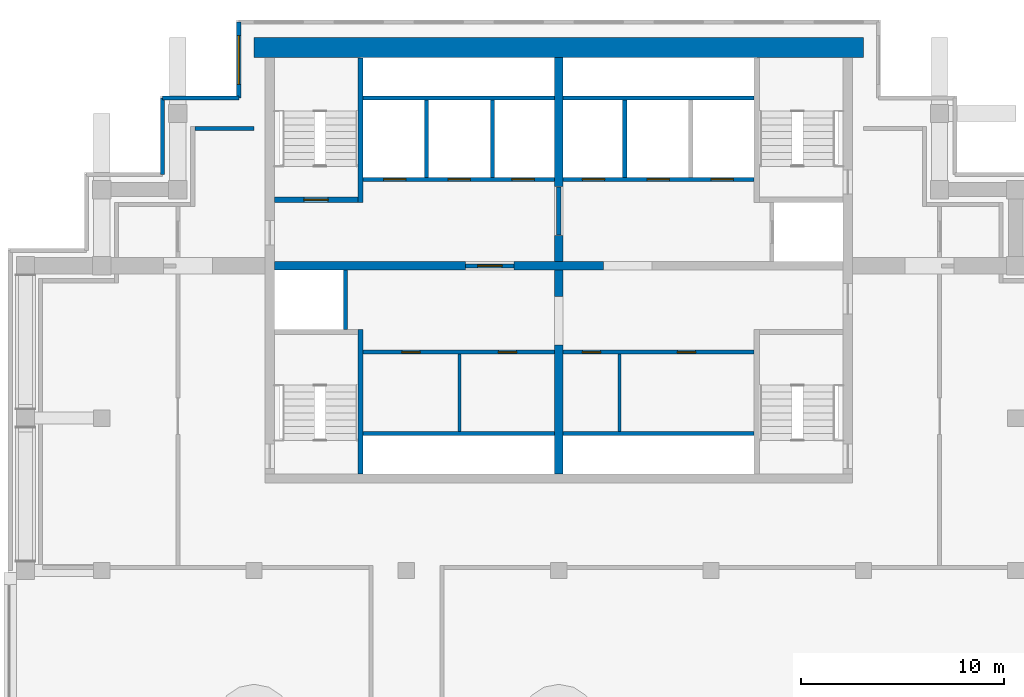
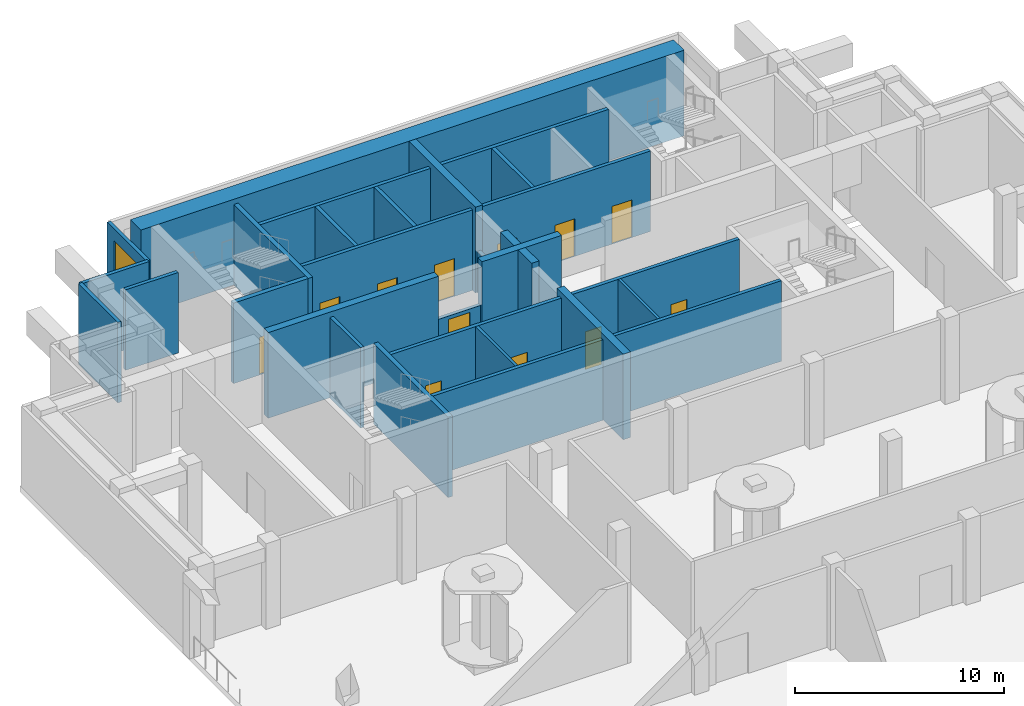
# One storey, part 3 of 8: 30 walls, 12 doors, 1 window, 13 openings.
"""IFC4 building model written with IfcOpenShell, lengths in metres."""

from ifc_helpers import new_model, si_unit, direction, frame, frame_2d, origin, place, context, subcontext, project, spatial, rectangle, extrude, material, layer, layer_set, type_object, element, fill, save


model = new_model("IFC4")

# Units and contexts
model_context = context("Model", 3, precision=1e-05, world=origin(), true_north=direction((0.0, 1.0)))
body_context = subcontext(model_context, "Body", "Model", "MODEL_VIEW")
ifc_project = project(units=[si_unit("LENGTHUNIT", "METRE"), si_unit("AREAUNIT", "SQUARE_METRE"), si_unit("VOLUMEUNIT", "CUBIC_METRE"), si_unit("PLANEANGLEUNIT", "RADIAN"), si_unit("MASSUNIT", "GRAM", prefix="KILO")], contexts=[model_context])

# Site, building, storey
site_placement = place(None, origin())
site = spatial("IfcSite", under=ifc_project, at=site_placement, CompositionType="ELEMENT")
building_placement = place(site_placement, origin())
building = spatial("IfcBuilding", under=site, at=building_placement, Name="Pilkhan Gate Tower", CompositionType="ELEMENT")
storey_placement = place(building_placement, frame((0.0, 0.0, 253.5)))
storey = spatial("IfcBuildingStorey", under=building, at=storey_placement, Name="L66", CompositionType="ELEMENT", Elevation=253.5)

# Walls
ifc_material_1 = material(Name="Concrete C50/60", Category="concrete")
ifc_layer_1 = layer(ifc_material_1, 1.0)
ifc_layer_set_1 = layer_set([ifc_layer_1], Name="Core wall CW1000 C50/60")
wall_type_1 = type_object("IfcWallType", Name="Core wall CW1000 C50/60", PredefinedType="SHEAR", material=ifc_layer_set_1)
wall_1_placement = place(storey_placement, frame((90.0, 93.25, 0.0), z_axis=(0.0, 0.0, 1.0), x_axis=(-1.0, 0.0, 0.0)))
element("IfcWall", 1, at=wall_1_placement, inside=storey, type_object=wall_type_1, Name="Core wall N L66", PredefinedType="SHEAR", context=body_context, shape_type="SweptSolid", body=[
    extrude(rectangle(XDim=30.0, YDim=1.0, at=frame_2d((15.0, 0.0))), origin(), (0.0, 0.0, 1.0), 5.0),
])
ifc_material_2 = material(Name="Dense blockwork", Category="masonry")
ifc_layer_2 = layer(ifc_material_2, 0.199951171875)
ifc_layer_set_2 = layer_set([ifc_layer_2], Name="Lobby wall LW200")
wall_type_2 = type_object("IfcWallType", Name="Lobby wall LW200", PredefinedType="PARTITIONING", material=ifc_layer_set_2)
for number, where, z_axis, x_axis, name in (
    (2, (65.375, 74.25, 0.0), (0.0, 0.0, 1.0), (1.0, 0.0, 0.0), "Partition L66"),
    (3, (75.2099609375, 74.25, 0.0), (0.0, 0.0, 1.0), (1.0, 0.0, 0.0), "Partition L66"),
):
    element("IfcWall", number, at=place(storey_placement, frame(where, z_axis=z_axis, x_axis=x_axis)), inside=storey, type_object=wall_type_2, Name=name, PredefinedType="PARTITIONING", context=body_context, shape_type="SweptSolid", body=[
        extrude(rectangle(XDim=9.4150390625, YDim=0.199951171875, at=frame_2d((4.70751953125, 0.0))), origin(), (0.0, 0.0, 1.0), 4.699951171875),
    ])

# Wall, openings, doors
wall_2_placement = place(storey_placement, frame((65.375, 78.25, 0.0), z_axis=(0.0, 0.0, 1.0), x_axis=(1.0, 0.0, 0.0)))
wall_2 = element("IfcWall", 4, at=wall_2_placement, inside=storey, type_object=wall_type_2, Name="Partition L66", PredefinedType="PARTITIONING", context=body_context, shape_type="SweptSolid", body=[
    extrude(rectangle(XDim=9.4150390625, YDim=0.199951171875, at=frame_2d((4.70751953125, 0.0))), origin(), (0.0, 0.0, 1.0), 4.699951171875),
])
opening_1_placement = place(wall_2_placement, frame((1.89990234375, 0.0, 0.0)))
opening_1 = element("IfcOpeningElement", 5, at=opening_1_placement, cuts=wall_2, Name="Opening L66-10", PredefinedType="OPENING", context=body_context, shape_type="SweptSolid", body=[
    extrude(rectangle(XDim=0.89990234375, YDim=2.199951171875, at=frame_2d((0.449951171875, 1.10009765625))), frame((0.0, 0.10986328125, 0.0), z_axis=(0.0, -1.0, 0.0), x_axis=(1.0, 0.0, 0.0)), (0.0, 0.0, 1.0), 0.219970703125),
])
opening_2_placement = place(wall_2_placement, frame((6.64990234375, 0.0, 0.0)))
opening_2 = element("IfcOpeningElement", 6, at=opening_2_placement, cuts=wall_2, Name="Opening L66-11", PredefinedType="OPENING", context=body_context, shape_type="SweptSolid", body=[
    extrude(rectangle(XDim=0.89990234375, YDim=2.199951171875, at=frame_2d((0.449951171875, 1.10009765625))), frame((0.0, 0.10986328125, 0.0), z_axis=(0.0, -1.0, 0.0), x_axis=(1.0, 0.0, 0.0)), (0.0, 0.0, 1.0), 0.219970703125),
])
ifc_material_3 = material(Name="Timber flush door, 60 minute fire resisting, self-closing", Category="wood")
door_type_1 = type_object("IfcDoorType", Name="Store door D05 900x2200", OperationType="SINGLE_SWING_LEFT", PredefinedType="DOOR", material=ifc_material_3)
door_1_placement = place(opening_1_placement, origin())
door_1 = element("IfcDoor", 7, at=door_1_placement, inside=storey, type_object=door_type_1, Name="Store door", OperationType="SINGLE_SWING_LEFT", OverallHeight=2.199951171875, OverallWidth=0.89990234375, PredefinedType="DOOR", context=body_context, shape_type="SweptSolid", body=[
    extrude(rectangle(XDim=0.89990234375, YDim=2.199951171875, at=frame_2d((0.449951171875, 1.10009765625))), frame((0.0, 0.02490234375, 0.0), z_axis=(0.0, -1.0, 0.0), x_axis=(1.0, 0.0, 0.0)), (0.0, 0.0, 1.0), 0.050048828125),
])
fill(opening_1, door_1)
door_2_placement = place(opening_2_placement, origin())
door_2 = element("IfcDoor", 8, at=door_2_placement, inside=storey, type_object=door_type_1, Name="Store door", OperationType="SINGLE_SWING_RIGHT", OverallHeight=2.199951171875, OverallWidth=0.89990234375, PredefinedType="DOOR", context=body_context, shape_type="SweptSolid", body=[
    extrude(rectangle(XDim=0.89990234375, YDim=2.199951171875, at=frame_2d((0.449951171875, 1.10009765625))), frame((0.0, 0.02490234375, 0.0), z_axis=(0.0, -1.0, 0.0), x_axis=(1.0, 0.0, 0.0)), (0.0, 0.0, 1.0), 0.050048828125),
])
fill(opening_2, door_2)

wall_3_placement = place(storey_placement, frame((75.2099609375, 78.25, 0.0), z_axis=(0.0, 0.0, 1.0), x_axis=(1.0, 0.0, 0.0)))
wall_3 = element("IfcWall", 9, at=wall_3_placement, inside=storey, type_object=wall_type_2, Name="Partition L66", PredefinedType="PARTITIONING", context=body_context, shape_type="SweptSolid", body=[
    extrude(rectangle(XDim=9.4150390625, YDim=0.199951171875, at=frame_2d((4.70751953125, 0.0))), origin(), (0.0, 0.0, 1.0), 4.699951171875),
])
opening_3_placement = place(wall_3_placement, frame((0.949951171875, 0.0, 0.0)))
opening_3 = element("IfcOpeningElement", 10, at=opening_3_placement, cuts=wall_3, Name="Opening L66-12", PredefinedType="OPENING", context=body_context, shape_type="SweptSolid", body=[
    extrude(rectangle(XDim=0.89990234375, YDim=2.199951171875, at=frame_2d((0.449951171875, 1.10009765625))), frame((0.0, 0.10986328125, 0.0), z_axis=(0.0, -1.0, 0.0), x_axis=(1.0, 0.0, 0.0)), (0.0, 0.0, 1.0), 0.219970703125),
])
opening_4_placement = place(wall_3_placement, frame((5.6298828125, 0.0, 0.0)))
opening_4 = element("IfcOpeningElement", 11, at=opening_4_placement, cuts=wall_3, Name="Opening L66-13", PredefinedType="OPENING", context=body_context, shape_type="SweptSolid", body=[
    extrude(rectangle(XDim=0.89990234375, YDim=2.199951171875, at=frame_2d((0.449951171875, 1.10009765625))), frame((0.0, 0.10986328125, 0.0), z_axis=(0.0, -1.0, 0.0), x_axis=(1.0, 0.0, 0.0)), (0.0, 0.0, 1.0), 0.219970703125),
])
door_3_placement = place(opening_3_placement, origin())
door_3 = element("IfcDoor", 12, at=door_3_placement, inside=storey, type_object=door_type_1, Name="Store door", OperationType="SINGLE_SWING_LEFT", OverallHeight=2.199951171875, OverallWidth=0.89990234375, PredefinedType="DOOR", context=body_context, shape_type="SweptSolid", body=[
    extrude(rectangle(XDim=0.89990234375, YDim=2.199951171875, at=frame_2d((0.449951171875, 1.10009765625))), frame((0.0, 0.02490234375, 0.0), z_axis=(0.0, -1.0, 0.0), x_axis=(1.0, 0.0, 0.0)), (0.0, 0.0, 1.0), 0.050048828125),
])
fill(opening_3, door_3)
door_4_placement = place(opening_4_placement, origin())
door_4 = element("IfcDoor", 13, at=door_4_placement, inside=storey, type_object=door_type_1, Name="Store door", OperationType="SINGLE_SWING_RIGHT", OverallHeight=2.199951171875, OverallWidth=0.89990234375, PredefinedType="DOOR", context=body_context, shape_type="SweptSolid", body=[
    extrude(rectangle(XDim=0.89990234375, YDim=2.199951171875, at=frame_2d((0.449951171875, 1.10009765625))), frame((0.0, 0.02490234375, 0.0), z_axis=(0.0, -1.0, 0.0), x_axis=(1.0, 0.0, 0.0)), (0.0, 0.0, 1.0), 0.050048828125),
])
fill(opening_4, door_4)

# Wall, opening, door
wall_4_placement = place(storey_placement, frame((70.409912109375, 82.5, 0.0), z_axis=(0.0, 0.0, 1.0), x_axis=(1.0, 0.0, 0.0)))
wall_4 = element("IfcWall", 14, at=wall_4_placement, inside=storey, type_object=wall_type_2, Name="Partition L66", PredefinedType="PARTITIONING", context=body_context, shape_type="SweptSolid", body=[
    extrude(rectangle(XDim=2.380126953125, YDim=0.199951171875, at=frame_2d((1.18994140625, 0.0))), origin(), (0.0, 0.0, 1.0), 2.39990234375),
])
opening_5_placement = place(wall_4_placement, frame((0.60009765625, 0.0, 0.0)))
opening_5 = element("IfcOpeningElement", 15, at=opening_5_placement, cuts=wall_4, Name="Opening L66-01", PredefinedType="OPENING", context=body_context, shape_type="SweptSolid", body=[
    extrude(rectangle(XDim=1.199951171875, YDim=2.199951171875, at=frame_2d((0.60009765625, 1.10009765625))), frame((0.0, 0.10986328125, 0.0), z_axis=(0.0, -1.0, 0.0), x_axis=(1.0, 0.0, 0.0)), (0.0, 0.0, 1.0), 0.219970703125),
])
ifc_material_4 = material(Name="Steel door, 120 minute fire resisting, self-closing", Category="steel")
door_type_2 = type_object("IfcDoorType", Name="Firefighting lobby door D10 1200x2200", OperationType="SINGLE_SWING_LEFT", PredefinedType="DOOR", material=ifc_material_4)
door_5_placement = place(opening_5_placement, origin())
door_5 = element("IfcDoor", 16, at=door_5_placement, inside=storey, type_object=door_type_2, Name="Firefighting lobby door", OperationType="SINGLE_SWING_LEFT", OverallHeight=2.199951171875, OverallWidth=1.199951171875, PredefinedType="DOOR", context=body_context, shape_type="SweptSolid", body=[
    extrude(rectangle(XDim=1.199951171875, YDim=2.199951171875, at=frame_2d((0.60009765625, 1.10009765625))), frame((0.0, 0.02490234375, 0.0), z_axis=(0.0, -1.0, 0.0), x_axis=(1.0, 0.0, 0.0)), (0.0, 0.0, 1.0), 0.050048828125),
])
fill(opening_5, door_5)

# Walls
wall_5_placement = place(storey_placement, frame((57.0849609375, 89.264892578125, 0.0), z_axis=(0.0, 0.0, 1.0), x_axis=(1.0, 0.0, 0.0)))
element("IfcWall", 17, at=wall_5_placement, inside=storey, type_object=wall_type_2, Name="Partition L66", PredefinedType="PARTITIONING", context=body_context, shape_type="SweptSolid", body=[
    extrude(rectangle(XDim=2.9150390625, YDim=0.199951171875, at=frame_2d((1.45751953125, 0.0))), origin(), (0.0, 0.0, 1.0), 4.699951171875),
])
wall_6_placement = place(storey_placement, frame((75.0, 84.010009765625, 0.0), z_axis=(0.0, 0.0, 1.0), x_axis=(0.0, 1.0, 0.0)))
element("IfcWall", 18, at=wall_6_placement, inside=storey, type_object=wall_type_2, Name="Partition L66", PredefinedType="PARTITIONING", context=body_context, shape_type="SweptSolid", body=[
    extrude(rectangle(XDim=2.3798828125, YDim=0.199951171875, at=frame_2d((1.18994140625, 0.0))), origin(), (0.0, 0.0, 1.0), 2.39990234375),
])
ifc_material_5 = material(Name="Blockwork partition, plastered both sides", Category="masonry")
ifc_layer_3 = layer(ifc_material_5, 0.14990234375)
ifc_layer_set_3 = layer_set([ifc_layer_3], Name="Partition PW150")
wall_type_3 = type_object("IfcWallType", Name="Partition PW150", PredefinedType="PARTITIONING", material=ifc_layer_set_3)
for number, where, z_axis, x_axis, name in (
    (19, (70.125, 74.35009765625, 0.0), (0.0, 0.0, 1.0), (0.0, 1.0, 0.0), "Partition L66"),
    (20, (77.989990234375, 74.35009765625, 0.0), (0.0, 0.0, 1.0), (0.0, 1.0, 0.0), "Partition L66"),
):
    element("IfcWall", number, at=place(storey_placement, frame(where, z_axis=z_axis, x_axis=x_axis)), inside=storey, type_object=wall_type_3, Name=name, PredefinedType="PARTITIONING", context=body_context, shape_type="SweptSolid", body=[
        extrude(rectangle(XDim=3.7998046875, YDim=0.14990234375, at=frame_2d((1.89990234375, 0.0))), origin(), (0.0, 0.0, 1.0), 4.699951171875),
    ])

# Wall, opening, window
ifc_material_6 = material(Name="Pale anodised aluminium cladding", Category="aluminium")
ifc_layer_4 = layer(ifc_material_6, 0.199951171875)
ifc_layer_set_4 = layer_set([ifc_layer_4], Name="Plant screen wall PS200")
wall_type_4 = type_object("IfcWallType", Name="Plant screen wall PS200", PredefinedType="SOLIDWALL", material=ifc_layer_set_4)
wall_7_placement = place(storey_placement, frame((59.25, 90.75, 0.0), z_axis=(0.0, 0.0, 1.0), x_axis=(0.0, 1.0, 0.0)))
wall_7 = element("IfcWall", 21, at=wall_7_placement, inside=storey, type_object=wall_type_4, Name="Plant screen wall L66 W", PredefinedType="SOLIDWALL", context=body_context, shape_type="SweptSolid", body=[
    extrude(rectangle(XDim=3.75, YDim=0.199951171875, at=frame_2d((1.875, 0.0))), origin(), (0.0, 0.0, 1.0), 4.699951171875),
])
opening_6_placement = place(wall_7_placement, frame((0.675048828125, 0.0, 1.0)))
opening_6 = element("IfcOpeningElement", 22, at=opening_6_placement, cuts=wall_7, Name="Opening WL1", PredefinedType="OPENING", context=body_context, shape_type="SweptSolid", body=[
    extrude(rectangle(XDim=2.39990234375, YDim=3.0, at=frame_2d((1.199951171875, 1.5))), frame((0.0, 0.10986328125, 0.0), z_axis=(0.0, -1.0, 0.0), x_axis=(1.0, 0.0, 0.0)), (0.0, 0.0, 1.0), 0.219970703125),
])
ifc_material_7 = material(Name="Pale anodised aluminium storm louvre, bird mesh", Category="aluminium")
window_type = type_object("IfcWindowType", Name="Plant louvre WL1 2400x3000", PartitioningType="SINGLE_PANEL", PredefinedType="USERDEFINED", material=ifc_material_7)
window_placement = place(opening_6_placement, origin())
window = element("IfcWindow", 23, at=window_placement, inside=storey, type_object=window_type, Name="Louvre L66", ObjectType="LOUVRE", OverallHeight=3.0, OverallWidth=2.39990234375, PartitioningType="SINGLE_PANEL", PredefinedType="USERDEFINED", context=body_context, shape_type="SweptSolid", body=[
    extrude(rectangle(XDim=2.39990234375, YDim=3.0, at=frame_2d((1.199951171875, 1.5))), frame((0.0, 0.030029296875, 0.0), z_axis=(0.0, -1.0, 0.0), x_axis=(1.0, 0.0, 0.0)), (0.0, 0.0, 1.0), 0.06005859375),
])
fill(opening_6, window)

# Walls
for number, where, z_axis, x_axis, name in (
    (24, (55.5, 90.75, 0.0), (0.0, 0.0, 1.0), (1.0, 0.0, 0.0), "Plant screen wall L66 N"),
    (25, (55.5, 87.0, 0.0), (0.0, 0.0, 1.0), (0.0, 1.0, 0.0), "Plant screen wall L66 W"),
):
    element("IfcWall", number, at=place(storey_placement, frame(where, z_axis=z_axis, x_axis=x_axis)), inside=storey, type_object=wall_type_4, Name=name, PredefinedType="SOLIDWALL", context=body_context, shape_type="SweptSolid", body=[
        extrude(rectangle(XDim=3.75, YDim=0.199951171875, at=frame_2d((1.875, 0.0))), origin(), (0.0, 0.0, 1.0), 4.699951171875),
    ])

# Wall, openings, doors
ifc_material_8 = material(Name="Reinforced blockwork shaft wall, 120 minute fire resisting", Category="masonry")
ifc_layer_5 = layer(ifc_material_8, 0.199951171875)
ifc_layer_set_5 = layer_set([ifc_layer_5], Name="Shaft wall SW200")
wall_type_5 = type_object("IfcWallType", Name="Shaft wall SW200", PredefinedType="PARTITIONING", material=ifc_layer_set_5)
wall_8_placement = place(storey_placement, frame((65.375, 86.75, 0.0), z_axis=(0.0, 0.0, 1.0), x_axis=(1.0, 0.0, 0.0)))
wall_8 = element("IfcWall", 26, at=wall_8_placement, inside=storey, type_object=wall_type_5, Name="Partition L66", PredefinedType="PARTITIONING", context=body_context, shape_type="SweptSolid", body=[
    extrude(rectangle(XDim=9.4150390625, YDim=0.199951171875, at=frame_2d((4.70751953125, 0.0))), origin(), (0.0, 0.0, 1.0), 4.699951171875),
])
opening_7_placement = place(wall_8_placement, frame((1.0, 0.0, 0.0)))
opening_7 = element("IfcOpeningElement", 27, at=opening_7_placement, cuts=wall_8, Name="Opening LD", PredefinedType="OPENING", context=body_context, shape_type="SweptSolid", body=[
    extrude(rectangle(XDim=1.10009765625, YDim=2.199951171875, at=frame_2d((0.550048828125, 1.10009765625))), frame((0.0, 0.10986328125, 0.0), z_axis=(0.0, -1.0, 0.0), x_axis=(1.0, 0.0, 0.0)), (0.0, 0.0, 1.0), 0.219970703125),
])
opening_8_placement = place(wall_8_placement, frame((4.175048828125, 0.0, 0.0)))
opening_8 = element("IfcOpeningElement", 28, at=opening_8_placement, cuts=wall_8, Name="Opening LD", PredefinedType="OPENING", context=body_context, shape_type="SweptSolid", body=[
    extrude(rectangle(XDim=1.10009765625, YDim=2.199951171875, at=frame_2d((0.550048828125, 1.10009765625))), frame((0.0, 0.10986328125, 0.0), z_axis=(0.0, -1.0, 0.0), x_axis=(1.0, 0.0, 0.0)), (0.0, 0.0, 1.0), 0.219970703125),
])
opening_9_placement = place(wall_8_placement, frame((7.324951171875, 0.0, 0.0)))
opening_9 = element("IfcOpeningElement", 29, at=opening_9_placement, cuts=wall_8, Name="Opening LD", PredefinedType="OPENING", context=body_context, shape_type="SweptSolid", body=[
    extrude(rectangle(XDim=1.10009765625, YDim=2.199951171875, at=frame_2d((0.550048828125, 1.10009765625))), frame((0.0, 0.10986328125, 0.0), z_axis=(0.0, -1.0, 0.0), x_axis=(1.0, 0.0, 0.0)), (0.0, 0.0, 1.0), 0.219970703125),
])
ifc_material_9 = material(Name="Stainless steel centre-opening landing door, 120 minute fire resisting", Category="steel")
door_type_3 = type_object("IfcDoorType", Name="Lift landing door LD 1100x2200", OperationType="DOUBLE_DOOR_SLIDING", PredefinedType="DOOR", material=ifc_material_9)
door_6_placement = place(opening_7_placement, origin())
door_6 = element("IfcDoor", 30, at=door_6_placement, inside=storey, type_object=door_type_3, Name="Landing door FF1", OperationType="DOUBLE_DOOR_SLIDING", OverallHeight=2.199951171875, OverallWidth=1.10009765625, PredefinedType="DOOR", context=body_context, shape_type="SweptSolid", body=[
    extrude(rectangle(XDim=1.10009765625, YDim=2.199951171875, at=frame_2d((0.550048828125, 1.10009765625))), frame((0.0, 0.02490234375, 0.0), z_axis=(0.0, -1.0, 0.0), x_axis=(1.0, 0.0, 0.0)), (0.0, 0.0, 1.0), 0.050048828125),
])
fill(opening_7, door_6)
door_7_placement = place(opening_8_placement, origin())
door_7 = element("IfcDoor", 31, at=door_7_placement, inside=storey, type_object=door_type_3, Name="Landing door FF2", OperationType="DOUBLE_DOOR_SLIDING", OverallHeight=2.199951171875, OverallWidth=1.10009765625, PredefinedType="DOOR", context=body_context, shape_type="SweptSolid", body=[
    extrude(rectangle(XDim=1.10009765625, YDim=2.199951171875, at=frame_2d((0.550048828125, 1.10009765625))), frame((0.0, 0.02490234375, 0.0), z_axis=(0.0, -1.0, 0.0), x_axis=(1.0, 0.0, 0.0)), (0.0, 0.0, 1.0), 0.050048828125),
])
fill(opening_8, door_7)
door_8_placement = place(opening_9_placement, origin())
door_8 = element("IfcDoor", 32, at=door_8_placement, inside=storey, type_object=door_type_3, Name="Landing door SV1", OperationType="DOUBLE_DOOR_SLIDING", OverallHeight=2.199951171875, OverallWidth=1.10009765625, PredefinedType="DOOR", context=body_context, shape_type="SweptSolid", body=[
    extrude(rectangle(XDim=1.10009765625, YDim=2.199951171875, at=frame_2d((0.550048828125, 1.10009765625))), frame((0.0, 0.02490234375, 0.0), z_axis=(0.0, -1.0, 0.0), x_axis=(1.0, 0.0, 0.0)), (0.0, 0.0, 1.0), 0.050048828125),
])
fill(opening_9, door_8)

wall_9_placement = place(storey_placement, frame((75.2099609375, 86.75, 0.0), z_axis=(0.0, 0.0, 1.0), x_axis=(1.0, 0.0, 0.0)))
wall_9 = element("IfcWall", 33, at=wall_9_placement, inside=storey, type_object=wall_type_5, Name="Partition L66", PredefinedType="PARTITIONING", context=body_context, shape_type="SweptSolid", body=[
    extrude(rectangle(XDim=9.4150390625, YDim=0.199951171875, at=frame_2d((4.70751953125, 0.0))), origin(), (0.0, 0.0, 1.0), 4.699951171875),
])
opening_10_placement = place(wall_9_placement, frame((0.949951171875, 0.0, 0.0)))
opening_10 = element("IfcOpeningElement", 34, at=opening_10_placement, cuts=wall_9, Name="Opening LD", PredefinedType="OPENING", context=body_context, shape_type="SweptSolid", body=[
    extrude(rectangle(XDim=1.10009765625, YDim=2.199951171875, at=frame_2d((0.550048828125, 1.10009765625))), frame((0.0, 0.10986328125, 0.0), z_axis=(0.0, -1.0, 0.0), x_axis=(1.0, 0.0, 0.0)), (0.0, 0.0, 1.0), 0.219970703125),
])
opening_11_placement = place(wall_9_placement, frame((4.139892578125, 0.0, 0.0)))
opening_11 = element("IfcOpeningElement", 35, at=opening_11_placement, cuts=wall_9, Name="Opening LD", PredefinedType="OPENING", context=body_context, shape_type="SweptSolid", body=[
    extrude(rectangle(XDim=1.10009765625, YDim=2.199951171875, at=frame_2d((0.550048828125, 1.10009765625))), frame((0.0, 0.10986328125, 0.0), z_axis=(0.0, -1.0, 0.0), x_axis=(1.0, 0.0, 0.0)), (0.0, 0.0, 1.0), 0.219970703125),
])
opening_12_placement = place(wall_9_placement, frame((7.2900390625, 0.0, 0.0)))
opening_12 = element("IfcOpeningElement", 36, at=opening_12_placement, cuts=wall_9, Name="Opening LD", PredefinedType="OPENING", context=body_context, shape_type="SweptSolid", body=[
    extrude(rectangle(XDim=1.10009765625, YDim=2.199951171875, at=frame_2d((0.550048828125, 1.10009765625))), frame((0.0, 0.10986328125, 0.0), z_axis=(0.0, -1.0, 0.0), x_axis=(1.0, 0.0, 0.0)), (0.0, 0.0, 1.0), 0.219970703125),
])
door_9_placement = place(opening_10_placement, origin())
door_9 = element("IfcDoor", 37, at=door_9_placement, inside=storey, type_object=door_type_3, Name="Landing door HR1", OperationType="DOUBLE_DOOR_SLIDING", OverallHeight=2.199951171875, OverallWidth=1.10009765625, PredefinedType="DOOR", context=body_context, shape_type="SweptSolid", body=[
    extrude(rectangle(XDim=1.10009765625, YDim=2.199951171875, at=frame_2d((0.550048828125, 1.10009765625))), frame((0.0, 0.02490234375, 0.0), z_axis=(0.0, -1.0, 0.0), x_axis=(1.0, 0.0, 0.0)), (0.0, 0.0, 1.0), 0.050048828125),
])
fill(opening_10, door_9)
door_10_placement = place(opening_11_placement, origin())
door_10 = element("IfcDoor", 38, at=door_10_placement, inside=storey, type_object=door_type_3, Name="Landing door HR2", OperationType="DOUBLE_DOOR_SLIDING", OverallHeight=2.199951171875, OverallWidth=1.10009765625, PredefinedType="DOOR", context=body_context, shape_type="SweptSolid", body=[
    extrude(rectangle(XDim=1.10009765625, YDim=2.199951171875, at=frame_2d((0.550048828125, 1.10009765625))), frame((0.0, 0.02490234375, 0.0), z_axis=(0.0, -1.0, 0.0), x_axis=(1.0, 0.0, 0.0)), (0.0, 0.0, 1.0), 0.050048828125),
])
fill(opening_11, door_10)
door_11_placement = place(opening_12_placement, origin())
door_11 = element("IfcDoor", 39, at=door_11_placement, inside=storey, type_object=door_type_3, Name="Landing door HR3", OperationType="DOUBLE_DOOR_SLIDING", OverallHeight=2.199951171875, OverallWidth=1.10009765625, PredefinedType="DOOR", context=body_context, shape_type="SweptSolid", body=[
    extrude(rectangle(XDim=1.10009765625, YDim=2.199951171875, at=frame_2d((0.550048828125, 1.10009765625))), frame((0.0, 0.02490234375, 0.0), z_axis=(0.0, -1.0, 0.0), x_axis=(1.0, 0.0, 0.0)), (0.0, 0.0, 1.0), 0.050048828125),
])
fill(opening_12, door_11)

# Walls
for number, where, z_axis, x_axis, name in (
    (40, (65.375, 90.75, 0.0), (0.0, 0.0, 1.0), (1.0, 0.0, 0.0), "Partition L66"),
    (41, (75.2099609375, 90.75, 0.0), (0.0, 0.0, 1.0), (1.0, 0.0, 0.0), "Partition L66"),
):
    element("IfcWall", number, at=place(storey_placement, frame(where, z_axis=z_axis, x_axis=x_axis)), inside=storey, type_object=wall_type_5, Name=name, PredefinedType="PARTITIONING", context=body_context, shape_type="SweptSolid", body=[
        extrude(rectangle(XDim=9.4150390625, YDim=0.199951171875, at=frame_2d((4.70751953125, 0.0))), origin(), (0.0, 0.0, 1.0), 4.699951171875),
    ])
wall_10_placement = place(storey_placement, frame((64.5, 79.375, 0.0), z_axis=(0.0, 0.0, 1.0), x_axis=(0.0, 1.0, 0.0)))
element("IfcWall", 42, at=wall_10_placement, inside=storey, type_object=wall_type_5, Name="Partition L66", PredefinedType="PARTITIONING", context=body_context, shape_type="SweptSolid", body=[
    extrude(rectangle(XDim=2.9150390625, YDim=0.199951171875, at=frame_2d((1.45751953125, 0.0))), origin(), (0.0, 0.0, 1.0), 4.699951171875),
])
for number, where, z_axis, x_axis, name in (
    (43, (68.5, 86.85009765625, 0.0), (0.0, 0.0, 1.0), (0.0, 1.0, 0.0), "Partition L66"),
    (44, (71.75, 86.85009765625, 0.0), (0.0, 0.0, 1.0), (0.0, 1.0, 0.0), "Partition L66"),
    (45, (78.25, 86.85009765625, 0.0), (0.0, 0.0, 1.0), (0.0, 1.0, 0.0), "Partition L66"),
):
    element("IfcWall", number, at=place(storey_placement, frame(where, z_axis=z_axis, x_axis=x_axis)), inside=storey, type_object=wall_type_5, Name=name, PredefinedType="PARTITIONING", context=body_context, shape_type="SweptSolid", body=[
        extrude(rectangle(XDim=3.7998046875, YDim=0.199951171875, at=frame_2d((1.89990234375, 0.0))), origin(), (0.0, 0.0, 1.0), 4.699951171875),
    ])
ifc_layer_6 = layer(ifc_material_1, 0.39990234375)
ifc_layer_set_6 = layer_set([ifc_layer_6], Name="Spine wall SW400 C50/60")
wall_type_6 = type_object("IfcWallType", Name="Spine wall SW400 C50/60", PredefinedType="SHEAR", material=ifc_layer_set_6)
wall_11_placement = place(storey_placement, frame((61.0, 82.5, 0.0), z_axis=(0.0, 0.0, 1.0), x_axis=(1.0, 0.0, 0.0)))
element("IfcWall", 46, at=wall_11_placement, inside=storey, type_object=wall_type_6, Name="Spine wall SP-EW1 L66", PredefinedType="SHEAR", context=body_context, shape_type="SweptSolid", body=[
    extrude(rectangle(XDim=9.39990234375, YDim=0.39990234375, at=frame_2d((4.699951171875, 0.0))), origin(), (0.0, 0.0, 1.0), 5.0),
])
wall_12_placement = place(storey_placement, frame((72.800048828125, 82.5, 0.0), z_axis=(0.0, 0.0, 1.0), x_axis=(1.0, 0.0, 0.0)))
element("IfcWall", 47, at=wall_12_placement, inside=storey, type_object=wall_type_6, Name="Spine wall SP-EW2 L66", PredefinedType="SHEAR", context=body_context, shape_type="SweptSolid", body=[
    extrude(rectangle(XDim=4.39990234375, YDim=0.39990234375, at=frame_2d((2.199951171875, 0.0))), origin(), (0.0, 0.0, 1.0), 5.0),
])
wall_13_placement = place(storey_placement, frame((75.0, 72.25, 0.0), z_axis=(0.0, 0.0, 1.0), x_axis=(0.0, 1.0, 0.0)))
element("IfcWall", 48, at=wall_13_placement, inside=storey, type_object=wall_type_6, Name="Spine wall SP-NS-S1 L66", PredefinedType="SHEAR", context=body_context, shape_type="SweptSolid", body=[
    extrude(rectangle(XDim=6.35009765625, YDim=0.39990234375, at=frame_2d((3.175048828125, 0.0))), origin(), (0.0, 0.0, 1.0), 5.0),
])
for number, where, z_axis, x_axis, name in (
    (49, (75.0, 81.0, 0.0), (0.0, 0.0, 1.0), (0.0, 1.0, 0.0), "Spine wall SP-NS-S2 L66"),
    (50, (75.0, 82.699951171875, 0.0), (0.0, 0.0, 1.0), (0.0, 1.0, 0.0), "Spine wall SP-NS-N1 L66"),
):
    element("IfcWall", number, at=place(storey_placement, frame(where, z_axis=z_axis, x_axis=x_axis)), inside=storey, type_object=wall_type_6, Name=name, PredefinedType="SHEAR", context=body_context, shape_type="SweptSolid", body=[
        extrude(rectangle(XDim=1.300048828125, YDim=0.39990234375, at=frame_2d((0.64990234375, 0.0))), origin(), (0.0, 0.0, 1.0), 5.0),
    ])
wall_14_placement = place(storey_placement, frame((75.0, 86.39990234375, 0.0), z_axis=(0.0, 0.0, 1.0), x_axis=(0.0, 1.0, 0.0)))
element("IfcWall", 51, at=wall_14_placement, inside=storey, type_object=wall_type_6, Name="Spine wall SP-NS-N2 L66", PredefinedType="SHEAR", context=body_context, shape_type="SweptSolid", body=[
    extrude(rectangle(XDim=6.35009765625, YDim=0.39990234375, at=frame_2d((3.175048828125, 0.0))), origin(), (0.0, 0.0, 1.0), 5.0),
])

# Wall, opening, door
ifc_material_10 = material(Name="Reinforced blockwork, 120 minute fire resisting", Category="masonry")
ifc_layer_7 = layer(ifc_material_10, 0.25)
ifc_layer_set_7 = layer_set([ifc_layer_7], Name="Stair enclosure wall SE250")
wall_type_7 = type_object("IfcWallType", Name="Stair enclosure wall SE250", PredefinedType="PARTITIONING", material=ifc_layer_set_7)
wall_15_placement = place(storey_placement, frame((61.0, 85.75, 0.0), z_axis=(0.0, 0.0, 1.0), x_axis=(1.0, 0.0, 0.0)))
wall_15 = element("IfcWall", 52, at=wall_15_placement, inside=storey, type_object=wall_type_7, Name="Partition L66", PredefinedType="PARTITIONING", context=body_context, shape_type="SweptSolid", body=[
    extrude(rectangle(XDim=4.125, YDim=0.25, at=frame_2d((2.0625, 0.0))), origin(), (0.0, 0.0, 1.0), 4.699951171875),
])
opening_13_placement = place(wall_15_placement, frame((1.449951171875, 0.0, 0.0)))
opening_13 = element("IfcOpeningElement", 53, at=opening_13_placement, cuts=wall_15, Name="Opening L66-02", PredefinedType="OPENING", context=body_context, shape_type="SweptSolid", body=[
    extrude(rectangle(XDim=1.199951171875, YDim=2.199951171875, at=frame_2d((0.60009765625, 1.10009765625))), frame((0.0, 0.135009765625, 0.0), z_axis=(0.0, -1.0, 0.0), x_axis=(1.0, 0.0, 0.0)), (0.0, 0.0, 1.0), 0.27001953125),
])
ifc_material_11 = material(Name="Steel door, 120 minute fire resisting, panic bar", Category="steel")
door_type_4 = type_object("IfcDoorType", Name="Stair door D11 1200x2200", OperationType="SINGLE_SWING_LEFT", PredefinedType="DOOR", material=ifc_material_11)
door_12_placement = place(opening_13_placement, origin())
door_12 = element("IfcDoor", 54, at=door_12_placement, inside=storey, type_object=door_type_4, Name="Stair ST3 lobby door", OperationType="SINGLE_SWING_RIGHT", OverallHeight=2.199951171875, OverallWidth=1.199951171875, PredefinedType="DOOR", context=body_context, shape_type="SweptSolid", body=[
    extrude(rectangle(XDim=1.199951171875, YDim=2.199951171875, at=frame_2d((0.60009765625, 1.10009765625))), frame((0.0, 0.02490234375, 0.0), z_axis=(0.0, -1.0, 0.0), x_axis=(1.0, 0.0, 0.0)), (0.0, 0.0, 1.0), 0.050048828125),
])
fill(opening_13, door_12)

# Walls
for number, where, z_axis, x_axis, name in (
    (55, (65.25, 72.260009765625, 0.0), (0.0, 0.0, 1.0), (0.0, 1.0, 0.0), "Partition L66"),
    (56, (65.25, 85.625, 0.0), (0.0, 0.0, 1.0), (0.0, 1.0, 0.0), "Partition L66"),
):
    element("IfcWall", number, at=place(storey_placement, frame(where, z_axis=z_axis, x_axis=x_axis)), inside=storey, type_object=wall_type_7, Name=name, PredefinedType="PARTITIONING", context=body_context, shape_type="SweptSolid", body=[
        extrude(rectangle(XDim=7.114990234375, YDim=0.25, at=frame_2d((3.5576171875, 0.0))), origin(), (0.0, 0.0, 1.0), 4.699951171875),
    ])

save(model, "model.ifc")
